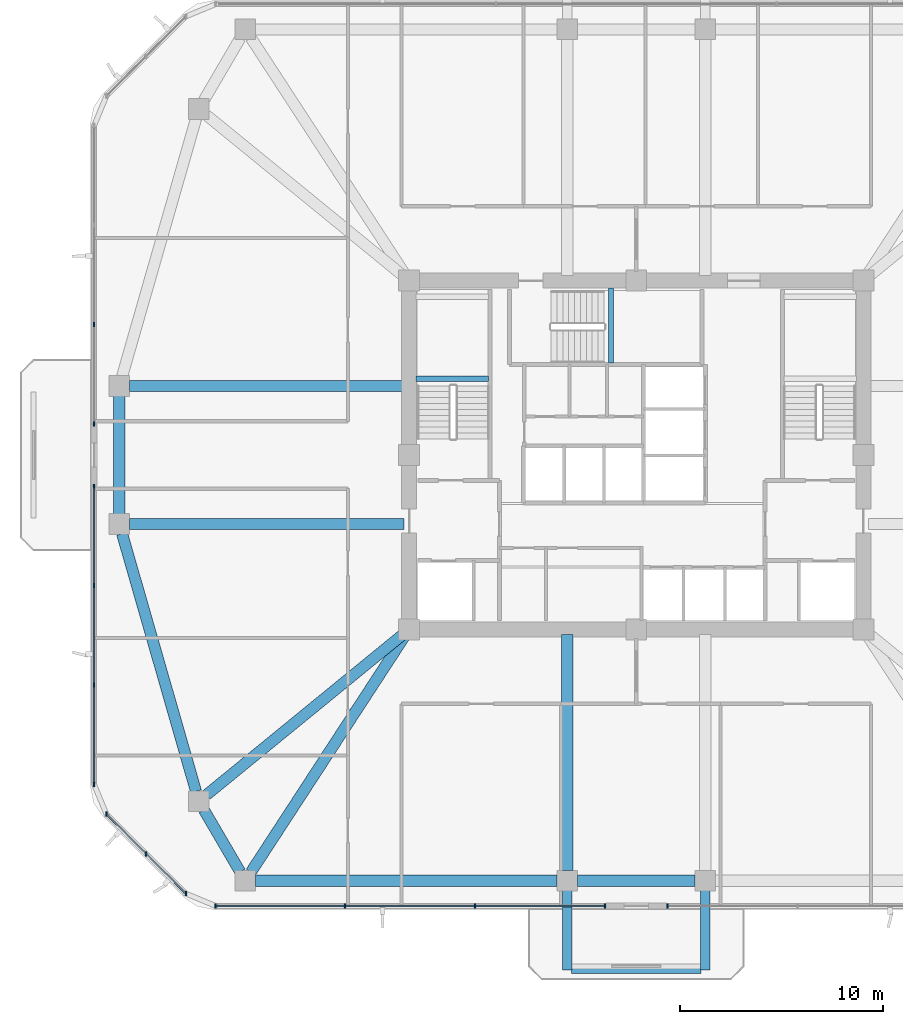
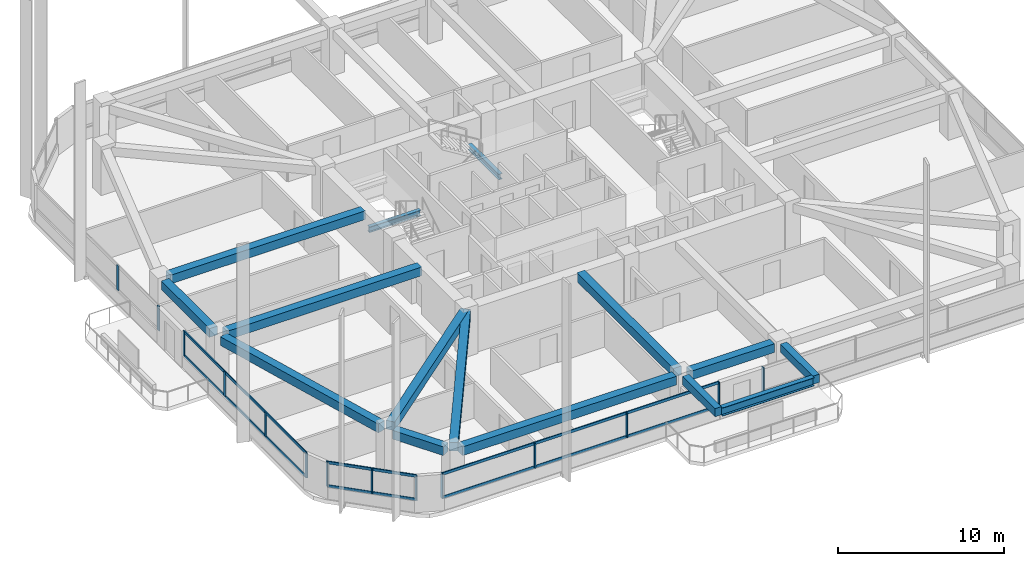
# One storey, part 2 of 15: 20 members, 15 beams, 5 elements without a shape of their own.
"""IFC4 building model written with IfcOpenShell, lengths in metres."""

from ifc_helpers import new_model, si_unit, derived_unit, direction, frame, origin, origin_2d, place, context, subcontext, project, spatial, rectangle, i_section, extrude, material, material_profile, profile_set, type_object, element, aggregate, save


model = new_model("IFC4")

# Units and contexts
model_context = context("Model", 3, precision=1e-05, world=origin(), true_north=direction((0.0, 1.0)))
body_context = subcontext(model_context, "Body", "Model", "MODEL_VIEW")
ifc_project = project(units=[si_unit("LENGTHUNIT", "METRE"), si_unit("AREAUNIT", "SQUARE_METRE"), si_unit("VOLUMEUNIT", "CUBIC_METRE"), si_unit("PLANEANGLEUNIT", "RADIAN"), si_unit("MASSUNIT", "GRAM", prefix="KILO"), derived_unit("THERMALTRANSMITTANCEUNIT", [(si_unit("POWERUNIT", "WATT"), 1), (si_unit("LENGTHUNIT", "METRE"), -2), (si_unit("THERMODYNAMICTEMPERATUREUNIT", "KELVIN"), -1)])], contexts=[model_context])

# Site, building, storey
site_placement = place(None, origin())
site = spatial("IfcSite", under=ifc_project, at=site_placement, CompositionType="ELEMENT")
building_placement = place(site_placement, origin())
building = spatial("IfcBuilding", under=site, at=building_placement, Name="Koralith Skygarden Medical Center", CompositionType="ELEMENT")
storey_placement = place(building_placement, frame((0.0, 0.0, 84.780029296875)))
storey = spatial("IfcBuildingStorey", under=building, at=storey_placement, Name="L21", CompositionType="ELEMENT", Elevation=84.780029296875)

# Curtain wall, members
ifc_material_1 = material(Name="Clear Laminated Glass", Category="glass")
curtain_wall_type = type_object("IfcCurtainWallType", Name="CW-3 Zone 2 Faceted Solar Curtain Wall", PredefinedType="NOTDEFINED", material=ifc_material_1)
curtain_wall_1_placement = place(storey_placement, origin())
curtain_wall_1 = element("IfcCurtainWall", 1, at=curtain_wall_1_placement, inside=storey, type_object=curtain_wall_type, Name="Curtain Wall CW-L21-S-L", PredefinedType="NOTDEFINED")
ifc_material_2 = material(Name="Aluminium 6063-T6", Category="aluminium")
ifc_material_profile_1 = material_profile(ifc_material_2, rectangle(XDim=0.073974609375, YDim=0.219970703125, at=origin_2d()), Name="MUL74X220")
ifc_profile_set_1 = profile_set([ifc_material_profile_1], Name="Aluminium 6063-T6")
member_type_1 = type_object("IfcMemberType", Name="CW-3 Extruded Mullion 74x220", PredefinedType="MULLION", material=ifc_profile_set_1)
member_1_placement = place(storey_placement, frame((16.2548828125, 3.679931640625, 0.849853515625), z_axis=(0.0, 0.0, 1.0), x_axis=(1.0, 0.0, 0.0)))
member_1 = element("IfcMember", 2, at=member_1_placement, type_object=member_type_1, Name="CW-L21-S-L Mullion 1", PredefinedType="MULLION", context=body_context, shape_type="SweptSolid", body=[
    extrude(rectangle(XDim=0.073974609375, YDim=0.219970703125, at=origin_2d()), origin(), (0.0, 0.0, 1.0), 1.820068359375),
])
member_2_placement = place(storey_placement, frame((22.656005859375, 3.679931640625, 0.849853515625), z_axis=(0.0, 0.0, 1.0), x_axis=(1.0, 0.0, 0.0)))
member_2 = element("IfcMember", 3, at=member_2_placement, type_object=member_type_1, Name="CW-L21-S-L Mullion 2", PredefinedType="MULLION", context=body_context, shape_type="SweptSolid", body=[
    extrude(rectangle(XDim=0.073974609375, YDim=0.219970703125, at=origin_2d()), origin(), (0.0, 0.0, 1.0), 1.820068359375),
])
member_3_placement = place(storey_placement, frame((29.05810546875, 3.679931640625, 0.849853515625), z_axis=(0.0, 0.0, 1.0), x_axis=(1.0, 0.0, 0.0)))
member_3 = element("IfcMember", 4, at=member_3_placement, type_object=member_type_1, Name="CW-L21-S-L Mullion 3", PredefinedType="MULLION", context=body_context, shape_type="SweptSolid", body=[
    extrude(rectangle(XDim=0.073974609375, YDim=0.219970703125, at=origin_2d()), origin(), (0.0, 0.0, 1.0), 1.820068359375),
])
member_4_placement = place(storey_placement, frame((35.458984375, 3.679931640625, 0.849853515625), z_axis=(0.0, 0.0, 1.0), x_axis=(1.0, 0.0, 0.0)))
member_4 = element("IfcMember", 5, at=member_4_placement, type_object=member_type_1, Name="CW-L21-S-L Mullion 4", PredefinedType="MULLION", context=body_context, shape_type="SweptSolid", body=[
    extrude(rectangle(XDim=0.073974609375, YDim=0.219970703125, at=origin_2d()), origin(), (0.0, 0.0, 1.0), 1.820068359375),
])

# Curtain wall, member
curtain_wall_2_placement = place(storey_placement, origin())
curtain_wall_2 = element("IfcCurtainWall", 6, at=curtain_wall_2_placement, inside=storey, type_object=curtain_wall_type, Name="Curtain Wall CW-L21-S-R", PredefinedType="NOTDEFINED")
member_5_placement = place(storey_placement, frame((38.5390625, 3.679931640625, 0.849853515625), z_axis=(0.0, 0.0, 1.0), x_axis=(1.0, 0.0, 0.0)))
member_5 = element("IfcMember", 7, at=member_5_placement, type_object=member_type_1, Name="CW-L21-S-R Mullion 1", PredefinedType="MULLION", context=body_context, shape_type="SweptSolid", body=[
    extrude(rectangle(XDim=0.073974609375, YDim=0.219970703125, at=origin_2d()), origin(), (0.0, 0.0, 1.0), 1.820068359375),
])
aggregate(curtain_wall_2, [member_5])

# Curtain wall, members
curtain_wall_3_placement = place(storey_placement, origin())
curtain_wall_3 = element("IfcCurtainWall", 8, at=curtain_wall_3_placement, inside=storey, type_object=curtain_wall_type, Name="Curtain Wall CW-L21-W-L", PredefinedType="NOTDEFINED")
member_6_placement = place(storey_placement, frame((10.280029296875, 32.342041015625, 0.849853515625), z_axis=(0.0, 0.0, 1.0), x_axis=(1.0, 0.0, 0.0)))
member_6 = element("IfcMember", 9, at=member_6_placement, type_object=member_type_1, Name="CW-L21-W-L Mullion 3", PredefinedType="MULLION", context=body_context, shape_type="SweptSolid", body=[
    extrude(rectangle(XDim=0.073974609375, YDim=0.219970703125, at=origin_2d()), origin(), (0.0, 0.0, 1.0), 1.820068359375),
])
member_7_placement = place(storey_placement, frame((10.280029296875, 27.44091796875, 0.849853515625), z_axis=(0.0, 0.0, 1.0), x_axis=(1.0, 0.0, 0.0)))
member_7 = element("IfcMember", 10, at=member_7_placement, type_object=member_type_1, Name="CW-L21-W-L Mullion 4", PredefinedType="MULLION", context=body_context, shape_type="SweptSolid", body=[
    extrude(rectangle(XDim=0.073974609375, YDim=0.219970703125, at=origin_2d()), origin(), (0.0, 0.0, 1.0), 1.820068359375),
])
aggregate(curtain_wall_3, [member_6, member_7])

curtain_wall_4_placement = place(storey_placement, origin())
curtain_wall_4 = element("IfcCurtainWall", 11, at=curtain_wall_4_placement, inside=storey, type_object=curtain_wall_type, Name="Curtain Wall CW-L21-W-R", PredefinedType="NOTDEFINED")
member_8_placement = place(storey_placement, frame((10.280029296875, 24.361083984375, 0.849853515625), z_axis=(0.0, 0.0, 1.0), x_axis=(1.0, 0.0, 0.0)))
member_8 = element("IfcMember", 12, at=member_8_placement, type_object=member_type_1, Name="CW-L21-W-R Mullion 1", PredefinedType="MULLION", context=body_context, shape_type="SweptSolid", body=[
    extrude(rectangle(XDim=0.073974609375, YDim=0.219970703125, at=origin_2d()), origin(), (0.0, 0.0, 1.0), 1.820068359375),
])
member_9_placement = place(storey_placement, frame((10.280029296875, 19.458984375, 0.849853515625), z_axis=(0.0, 0.0, 1.0), x_axis=(1.0, 0.0, 0.0)))
member_9 = element("IfcMember", 13, at=member_9_placement, type_object=member_type_1, Name="CW-L21-W-R Mullion 2", PredefinedType="MULLION", context=body_context, shape_type="SweptSolid", body=[
    extrude(rectangle(XDim=0.073974609375, YDim=0.219970703125, at=origin_2d()), origin(), (0.0, 0.0, 1.0), 1.820068359375),
])
member_10_placement = place(storey_placement, frame((10.280029296875, 14.556884765625, 0.849853515625), z_axis=(0.0, 0.0, 1.0), x_axis=(1.0, 0.0, 0.0)))
member_10 = element("IfcMember", 14, at=member_10_placement, type_object=member_type_1, Name="CW-L21-W-R Mullion 3", PredefinedType="MULLION", context=body_context, shape_type="SweptSolid", body=[
    extrude(rectangle(XDim=0.073974609375, YDim=0.219970703125, at=origin_2d()), origin(), (0.0, 0.0, 1.0), 1.820068359375),
])
member_11_placement = place(storey_placement, frame((10.280029296875, 9.655029296875, 0.849853515625), z_axis=(0.0, 0.0, 1.0), x_axis=(1.0, 0.0, 0.0)))
member_11 = element("IfcMember", 15, at=member_11_placement, type_object=member_type_1, Name="CW-L21-W-R Mullion 4", PredefinedType="MULLION", context=body_context, shape_type="SweptSolid", body=[
    extrude(rectangle(XDim=0.073974609375, YDim=0.219970703125, at=origin_2d()), origin(), (0.0, 0.0, 1.0), 1.820068359375),
])

curtain_wall_5_placement = place(storey_placement, origin())
curtain_wall_5 = element("IfcCurtainWall", 16, at=curtain_wall_5_placement, inside=storey, type_object=curtain_wall_type, Name="Curtain Wall CW-L21-SW", PredefinedType="NOTDEFINED")
member_12_placement = place(storey_placement, frame((10.881103515625, 8.2041015625, 0.849853515625), z_axis=(0.0, 0.0, 1.0), x_axis=(1.0, 0.0, 0.0)))
member_12 = element("IfcMember", 17, at=member_12_placement, type_object=member_type_1, Name="CW-L21-SW Mullion 1", PredefinedType="MULLION", context=body_context, shape_type="SweptSolid", body=[
    extrude(rectangle(XDim=0.073974609375, YDim=0.219970703125, at=origin_2d()), origin(), (0.0, 0.0, 1.0), 1.820068359375),
])
member_13_placement = place(storey_placement, frame((12.843017578125, 6.241943359375, 0.849853515625), z_axis=(0.0, 0.0, 1.0), x_axis=(1.0, 0.0, 0.0)))
member_13 = element("IfcMember", 18, at=member_13_placement, type_object=member_type_1, Name="CW-L21-SW Mullion 2", PredefinedType="MULLION", context=body_context, shape_type="SweptSolid", body=[
    extrude(rectangle(XDim=0.073974609375, YDim=0.219970703125, at=origin_2d()), origin(), (0.0, 0.0, 1.0), 1.820068359375),
])
member_14_placement = place(storey_placement, frame((14.803955078125, 4.281005859375, 0.849853515625), z_axis=(0.0, 0.0, 1.0), x_axis=(1.0, 0.0, 0.0)))
member_14 = element("IfcMember", 19, at=member_14_placement, type_object=member_type_1, Name="CW-L21-SW Mullion 3", PredefinedType="MULLION", context=body_context, shape_type="SweptSolid", body=[
    extrude(rectangle(XDim=0.073974609375, YDim=0.219970703125, at=origin_2d()), origin(), (0.0, 0.0, 1.0), 1.820068359375),
])

# Member
ifc_material_profile_2 = material_profile(ifc_material_2, rectangle(XDim=0.069091796875, YDim=0.197998046875, at=origin_2d()), Name="TRN69X198")
ifc_profile_set_2 = profile_set([ifc_material_profile_2], Name="Aluminium 6063-T6")
member_type_2 = type_object("IfcMemberType", Name="CW-3 Thermal Transom 69x198", PredefinedType="USERDEFINED", material=ifc_profile_set_2)
member_15_placement = place(storey_placement, frame((16.2548828125, 3.679931640625, 0.89990234375), z_axis=(1.0, 0.0, 0.0), x_axis=(0.0, 1.0, 0.0)))
member_15 = element("IfcMember", 20, at=member_15_placement, type_object=member_type_2, Name="CW-L21-S-L Transom 1", ObjectType="TRANSOM", PredefinedType="USERDEFINED", context=body_context, shape_type="SweptSolid", body=[
    extrude(rectangle(XDim=0.069091796875, YDim=0.197998046875, at=origin_2d()), origin(), (0.0, 0.0, 1.0), 19.2041015625),
])

member_16_placement = place(storey_placement, frame((16.2548828125, 3.679931640625, 2.619873046875), z_axis=(1.0, 0.0, 0.0), x_axis=(0.0, 1.0, 0.0)))
member_16 = element("IfcMember", 21, at=member_16_placement, type_object=member_type_2, Name="CW-L21-S-L Transom 2", ObjectType="TRANSOM", PredefinedType="USERDEFINED", context=body_context, shape_type="SweptSolid", body=[
    extrude(rectangle(XDim=0.069091796875, YDim=0.197998046875, at=origin_2d()), origin(), (0.0, 0.0, 1.0), 19.2041015625),
])

aggregate(curtain_wall_1, [member_1, member_2, member_3, member_4, member_15, member_16])

member_17_placement = place(storey_placement, frame((10.280029296875, 24.361083984375, 0.89990234375), z_axis=(0.0, -1.0, 0.0), x_axis=(1.0, 0.0, 0.0)))
member_17 = element("IfcMember", 22, at=member_17_placement, type_object=member_type_2, Name="CW-L21-W-R Transom 1", ObjectType="TRANSOM", PredefinedType="USERDEFINED", context=body_context, shape_type="SweptSolid", body=[
    extrude(rectangle(XDim=0.069091796875, YDim=0.197998046875, at=origin_2d()), origin(), (0.0, 0.0, 1.0), 14.7060546875),
])

member_18_placement = place(storey_placement, frame((10.280029296875, 24.361083984375, 2.619873046875), z_axis=(0.0, -1.0, 0.0), x_axis=(1.0, 0.0, 0.0)))
member_18 = element("IfcMember", 23, at=member_18_placement, type_object=member_type_2, Name="CW-L21-W-R Transom 2", ObjectType="TRANSOM", PredefinedType="USERDEFINED", context=body_context, shape_type="SweptSolid", body=[
    extrude(rectangle(XDim=0.069091796875, YDim=0.197998046875, at=origin_2d()), origin(), (0.0, 0.0, 1.0), 14.7060546875),
])

aggregate(curtain_wall_4, [member_8, member_9, member_10, member_11, member_17, member_18])

member_19_placement = place(storey_placement, frame((10.881103515625, 8.2041015625, 0.89990234375), z_axis=(0.707084777957, -0.707128783731, 0.0), x_axis=(0.707128783731, 0.707084777957, 0.0)))
member_19 = element("IfcMember", 24, at=member_19_placement, type_object=member_type_2, Name="CW-L21-SW Transom 1", ObjectType="TRANSOM", PredefinedType="USERDEFINED", context=body_context, shape_type="SweptSolid", body=[
    extrude(rectangle(XDim=0.069091796875, YDim=0.197998046875, at=origin_2d()), origin(), (0.0, 0.0, 1.0), 5.5478515625),
])

member_20_placement = place(storey_placement, frame((10.881103515625, 8.2041015625, 2.619873046875), z_axis=(0.707084777957, -0.707128783731, 0.0), x_axis=(0.707128783731, 0.707084777957, 0.0)))
member_20 = element("IfcMember", 25, at=member_20_placement, type_object=member_type_2, Name="CW-L21-SW Transom 2", ObjectType="TRANSOM", PredefinedType="USERDEFINED", context=body_context, shape_type="SweptSolid", body=[
    extrude(rectangle(XDim=0.069091796875, YDim=0.197998046875, at=origin_2d()), origin(), (0.0, 0.0, 1.0), 5.5478515625),
])

aggregate(curtain_wall_5, [member_12, member_13, member_14, member_19, member_20])

# Beams
ifc_material_3 = material(Name="Steel ASTM A992 Grade 50", Category="steel")
ifc_material_profile_3 = material_profile(ifc_material_3, i_section(OverallWidth=0.326904296875, OverallDepth=0.6220703125, WebThickness=0.015380859375, FlangeThickness=0.0244140625, at=origin_2d()), Name="W24X131")
ifc_profile_set_3 = profile_set([ifc_material_profile_3], Name="Steel ASTM A992 Grade 50")
beam_type_1 = type_object("IfcBeamType", Name="Cantilever Tie Beam W24X131", PredefinedType="BEAM", material=ifc_profile_set_3)
beam_1_placement = place(storey_placement, frame((33.820068359375, 0.510009765625, 3.029052734375), z_axis=(1.0, 0.0, 0.0), x_axis=(0.0, 1.0, 0.0)))
element("IfcBeam", 26, at=beam_1_placement, inside=storey, type_object=beam_type_1, Name="L22 S Balcony Tip Tie Beam", PredefinedType="BEAM", context=body_context, shape_type="SweptSolid", body=[
    extrude(i_section(OverallWidth=0.326904296875, OverallDepth=0.6220703125, WebThickness=0.015380859375, FlangeThickness=0.0244140625, at=origin_2d()), origin(), (0.0, 0.0, 1.0), 6.35986328125),
])
ifc_material_profile_4 = material_profile(ifc_material_3, i_section(OverallWidth=0.260009765625, OverallDepth=0.4150390625, WebThickness=0.010009765625, FlangeThickness=0.016845703125, at=origin_2d()), Name="W16X67")
ifc_profile_set_4 = profile_set([ifc_material_profile_4], Name="Steel ASTM A992 Grade 50")
beam_type_2 = type_object("IfcBeamType", Name="Clinical Floor Joist W16X67", PredefinedType="JOIST", material=ifc_profile_set_4)
beam_2_placement = place(storey_placement, frame((26.155029296875, 29.659912109375, 1.39208984375), z_axis=(1.0, 0.0, 0.0), x_axis=(0.0, 1.0, 0.0)))
element("IfcBeam", 27, at=beam_2_placement, inside=storey, type_object=beam_type_2, Name="L21 Stair ST1 Half-Landing Support Beam 1A", PredefinedType="JOIST", context=body_context, shape_type="SweptSolid", body=[
    extrude(i_section(OverallWidth=0.260009765625, OverallDepth=0.4150390625, WebThickness=0.010009765625, FlangeThickness=0.016845703125, at=origin_2d()), origin(), (0.0, 0.0, 1.0), 3.56494140625),
])
beam_3_placement = place(storey_placement, frame((35.760009765625, 30.43994140625, 1.39208984375), z_axis=(0.0, 1.0, 0.0), x_axis=(-1.0, 0.0, 0.0)))
element("IfcBeam", 28, at=beam_3_placement, inside=storey, type_object=beam_type_2, Name="L21 Stair ST3 Half-Landing Support Beam 1A", PredefinedType="JOIST", context=body_context, shape_type="SweptSolid", body=[
    extrude(i_section(OverallWidth=0.260009765625, OverallDepth=0.4150390625, WebThickness=0.010009765625, FlangeThickness=0.016845703125, at=origin_2d()), origin(), (0.0, 0.0, 1.0), 3.705078125),
])
ifc_material_4 = material(Name="Concrete C45/55", Category="concrete")
ifc_material_profile_5 = material_profile(ifc_material_4, rectangle(XDim=0.449951171875, YDim=0.60009765625, at=origin_2d()), Name="RCB450X600")
ifc_profile_set_5 = profile_set([ifc_material_profile_5], Name="Concrete C45/55")
beam_type_3 = type_object("IfcBeamType", Name="Planted Balcony Cantilever Beam RCB450X600", PredefinedType="BEAM", material=ifc_profile_set_5)
for number, where, z_axis, x_axis, name in (
    (29, (33.60009765625, 4.429931640625, 3.0400390625), (0.0, -1.0, 0.0), (1.0, 0.0, 0.0), "L22 S Balcony Cantilever Beam A"),
    (30, (40.39990234375, 4.429931640625, 3.0400390625), (0.0, -1.0, 0.0), (1.0, 0.0, 0.0), "L22 S Balcony Cantilever Beam B"),
):
    element("IfcBeam", number, at=place(storey_placement, frame(where, z_axis=z_axis, x_axis=x_axis)), inside=storey, type_object=beam_type_3, Name=name, PredefinedType="BEAM", context=body_context, shape_type="SweptSolid", body=[
        extrude(rectangle(XDim=0.449951171875, YDim=0.60009765625, at=origin_2d()), origin(), (0.0, 0.0, 1.0), 3.919921875),
    ])
ifc_material_profile_6 = material_profile(ifc_material_4, rectangle(XDim=0.550048828125, YDim=0.639892578125, at=origin_2d()), Name="RCB550X640")
ifc_profile_set_6 = profile_set([ifc_material_profile_6], Name="Concrete C45/55")
beam_type_4 = type_object("IfcBeamType", Name="Radial Collector Beam RCB550X640", PredefinedType="BEAM", material=ifc_profile_set_6)
beam_4_placement = place(storey_placement, frame((25.550048828125, 22.5, 3.0), z_axis=(-1.0, 0.0, 0.0), x_axis=(0.0, -1.0, 0.0)))
element("IfcBeam", 31, at=beam_4_placement, inside=storey, type_object=beam_type_4, Name="L21 Radial Collector Beam RB-01", PredefinedType="BEAM", context=body_context, shape_type="SweptSolid", body=[
    extrude(rectangle(XDim=0.550048828125, YDim=0.639892578125, at=origin_2d()), origin(), (0.0, 0.0, 1.0), 13.530029296875),
])
beam_5_placement = place(storey_placement, frame((25.60595703125, 17.14208984375, 3.0), z_axis=(-0.774537653753, -0.632527804067, 0.0), x_axis=(0.632527804067, -0.774537653753, 0.0)))
element("IfcBeam", 32, at=beam_5_placement, inside=storey, type_object=beam_type_4, Name="L21 Radial Collector Beam RB-02", PredefinedType="BEAM", context=body_context, shape_type="SweptSolid", body=[
    extrude(rectangle(XDim=0.550048828125, YDim=0.639892578125, at=origin_2d()), origin(), (0.0, 0.0, 1.0), 12.625732421875),
])
beam_6_placement = place(storey_placement, frame((25.6640625, 17.091064453125, 3.0), z_axis=(-0.546010797592, -0.83777813824, 0.0), x_axis=(0.83777813824, -0.546010797592, 0.0)))
element("IfcBeam", 33, at=beam_6_placement, inside=storey, type_object=beam_type_4, Name="L21 Radial Collector Beam RB-03", PredefinedType="BEAM", context=body_context, shape_type="SweptSolid", body=[
    extrude(rectangle(XDim=0.550048828125, YDim=0.639892578125, at=origin_2d()), origin(), (0.0, 0.0, 1.0), 14.027587890625),
])
beam_7_placement = place(storey_placement, frame((33.60009765625, 17.050048828125, 3.0), z_axis=(0.0, -1.0, 0.0), x_axis=(1.0, 0.0, 0.0)))
element("IfcBeam", 34, at=beam_7_placement, inside=storey, type_object=beam_type_4, Name="L21 Radial Collector Beam RB-04", PredefinedType="BEAM", context=body_context, shape_type="SweptSolid", body=[
    extrude(rectangle(XDim=0.550048828125, YDim=0.639892578125, at=origin_2d()), origin(), (0.0, 0.0, 1.0), 11.630126953125),
])
beam_8_placement = place(storey_placement, frame((25.550048828125, 29.300048828125, 3.0), z_axis=(-1.0, 0.0, 0.0), x_axis=(0.0, -1.0, 0.0)))
element("IfcBeam", 35, at=beam_8_placement, inside=storey, type_object=beam_type_4, Name="L21 Radial Collector Beam RB-16", PredefinedType="BEAM", context=body_context, shape_type="SweptSolid", body=[
    extrude(rectangle(XDim=0.550048828125, YDim=0.639892578125, at=origin_2d()), origin(), (0.0, 0.0, 1.0), 13.530029296875),
])
ifc_material_profile_7 = material_profile(ifc_material_4, rectangle(XDim=0.550048828125, YDim=0.639892578125, at=origin_2d()), Name="RCB550X640")
ifc_profile_set_7 = profile_set([ifc_material_profile_7], Name="Concrete C45/55")
beam_type_5 = type_object("IfcBeamType", Name="Zone 2-3 Spandrel Beam RCB550X640", PredefinedType="SPANDREL", material=ifc_profile_set_7)
beam_9_placement = place(storey_placement, frame((11.657958984375, 22.01904296875, 3.0), z_axis=(0.275843733572, -0.961202494092, 0.0), x_axis=(0.961202494092, 0.275843733572, 0.0)))
element("IfcBeam", 36, at=beam_9_placement, inside=storey, type_object=beam_type_5, Name="L21 Perimeter Spandrel Beam SP-01", PredefinedType="SPANDREL", context=body_context, shape_type="SweptSolid", body=[
    extrude(rectangle(XDim=0.550048828125, YDim=0.639892578125, at=origin_2d()), origin(), (0.0, 0.0, 1.0), 13.21044921875),
])
beam_10_placement = place(storey_placement, frame((15.69189453125, 8.407958984375, 3.0), z_axis=(0.50502386975, -0.863105376523, 0.0), x_axis=(0.863105376523, 0.50502386975, 0.0)))
element("IfcBeam", 37, at=beam_10_placement, inside=storey, type_object=beam_type_5, Name="L21 Perimeter Spandrel Beam SP-02", PredefinedType="SPANDREL", context=body_context, shape_type="SweptSolid", body=[
    extrude(rectangle(XDim=0.550048828125, YDim=0.639892578125, at=origin_2d()), origin(), (0.0, 0.0, 1.0), 3.54052734375),
])
beam_11_placement = place(storey_placement, frame((18.23193359375, 4.919921875, 3.0), z_axis=(1.0, 0.0, 0.0), x_axis=(0.0, 1.0, 0.0)))
element("IfcBeam", 38, at=beam_11_placement, inside=storey, type_object=beam_type_5, Name="L21 Perimeter Spandrel Beam SP-03", PredefinedType="SPANDREL", context=body_context, shape_type="SweptSolid", body=[
    extrude(rectangle(XDim=0.550048828125, YDim=0.639892578125, at=origin_2d()), origin(), (0.0, 0.0, 1.0), 14.8681640625),
])
beam_12_placement = place(storey_placement, frame((34.10009765625, 4.919921875, 3.0), z_axis=(1.0, 0.0, 0.0), x_axis=(0.0, 1.0, 0.0)))
element("IfcBeam", 39, at=beam_12_placement, inside=storey, type_object=beam_type_5, Name="L21 Perimeter Spandrel Beam SP-04", PredefinedType="SPANDREL", context=body_context, shape_type="SweptSolid", body=[
    extrude(rectangle(XDim=0.550048828125, YDim=0.639892578125, at=origin_2d()), origin(), (0.0, 0.0, 1.0), 5.7998046875),
])
beam_13_placement = place(storey_placement, frame((11.52001953125, 28.800048828125, 3.0), z_axis=(0.0, -1.0, 0.0), x_axis=(1.0, 0.0, 0.0)))
element("IfcBeam", 40, at=beam_13_placement, inside=storey, type_object=beam_type_5, Name="L21 Perimeter Spandrel Beam SP-16", PredefinedType="SPANDREL", context=body_context, shape_type="SweptSolid", body=[
    extrude(rectangle(XDim=0.550048828125, YDim=0.639892578125, at=origin_2d()), origin(), (0.0, 0.0, 1.0), 5.800048828125),
])

save(model, "model.ifc")
